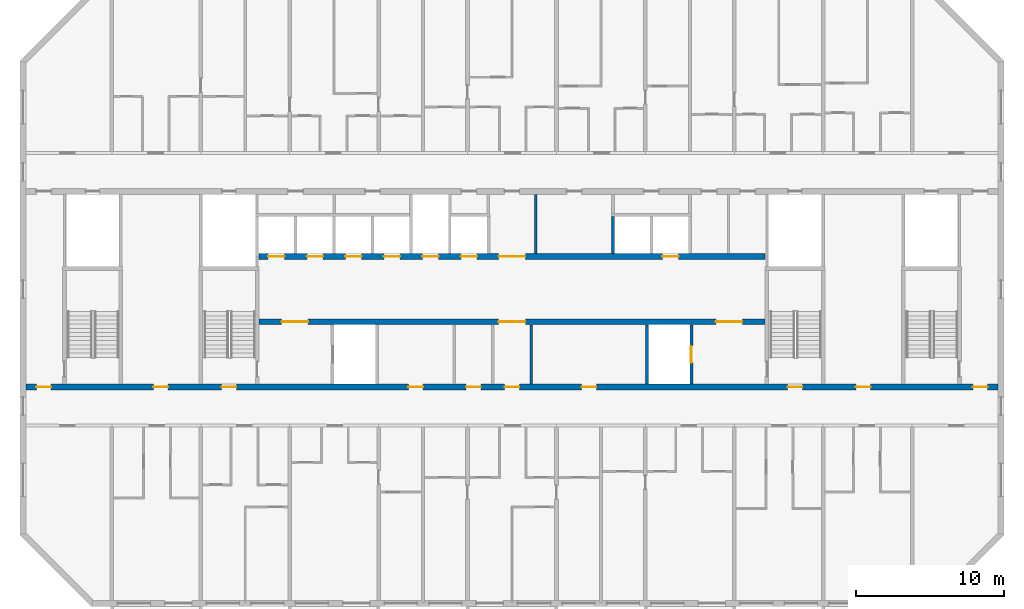
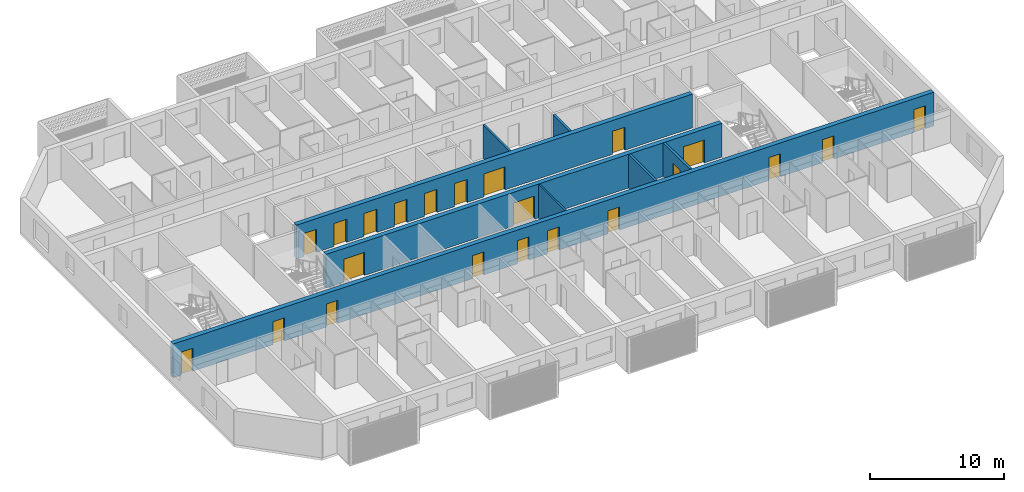
# One storey, part 6 of 26: 22 doors, 8 walls, 22 openings.
"""IFC4 building model written with IfcOpenShell, lengths in metres."""

from ifc_helpers import new_model, si_unit, direction, frame, frame_2d, origin, place, context, subcontext, project, spatial, rectangle, extrude, material, layer, layer_set, type_object, element, fill, save


model = new_model("IFC4")

# Units and contexts
model_context = context("Model", 3, precision=1e-05, world=origin(), true_north=direction((0.0, 1.0)))
body_context = subcontext(model_context, "Body", "Model", "MODEL_VIEW")
ifc_project = project(units=[si_unit("LENGTHUNIT", "METRE"), si_unit("AREAUNIT", "SQUARE_METRE"), si_unit("VOLUMEUNIT", "CUBIC_METRE"), si_unit("PLANEANGLEUNIT", "RADIAN"), si_unit("MASSUNIT", "GRAM", prefix="KILO")], contexts=[model_context])

# Site, building, storey
site_placement = place(None, origin())
site = spatial("IfcSite", under=ifc_project, at=site_placement, CompositionType="ELEMENT")
building_placement = place(site_placement, origin())
building = spatial("IfcBuilding", under=site, at=building_placement, Name="Poui Terraces", CompositionType="ELEMENT")
storey_placement = place(building_placement, frame((0.0, 0.0, 175.199951171875)))
storey = spatial("IfcBuildingStorey", under=building, at=storey_placement, Name="L48", CompositionType="ELEMENT", Elevation=175.199951171875)

# Wall, openings, doors
ifc_material_1 = material(Name="Concrete 50 MPa", Category="concrete")
ifc_layer_1 = layer(ifc_material_1, 0.39990234375)
ifc_layer_set_1 = layer_set([ifc_layer_1], Name="Concrete 50 MPa")
wall_type_1 = type_object("IfcWallType", Name="CORE WALL 400 50 MPA", PredefinedType="SOLIDWALL", material=ifc_layer_set_1)
wall_1_placement = place(storey_placement, frame((33.925048828125, 19.0, 0.0), z_axis=(0.0, 0.0, 1.0), x_axis=(1.0, 0.0, 0.0)))
wall_1 = element("IfcWall", 1, at=wall_1_placement, inside=storey, type_object=wall_type_1, Name="CORE WALL", PredefinedType="SOLIDWALL", context=body_context, shape_type="SweptSolid", body=[
    extrude(rectangle(XDim=34.14990234375, YDim=0.39990234375, at=frame_2d((17.074951171875, 0.0))), origin(), (0.0, 0.0, 1.0), 3.080078125),
])
opening_1_placement = place(wall_1_placement, frame((16.175048828125, 0.0, 0.0)))
opening_1 = element("IfcOpeningElement", 2, at=opening_1_placement, cuts=wall_1, Name="Opening FDD60", PredefinedType="OPENING", context=body_context, shape_type="SweptSolid", body=[
    extrude(rectangle(XDim=1.800048828125, YDim=2.10009765625, at=frame_2d((0.89990234375, 1.050048828125))), frame((0.0, 0.2099609375, 0.0), z_axis=(0.0, -1.0, 0.0), x_axis=(1.0, 0.0, 0.0)), (0.0, 0.0, 1.0), 0.419921875),
])
opening_2_placement = place(wall_1_placement, frame((1.52490234375, 0.0, 0.0)))
opening_2 = element("IfcOpeningElement", 3, at=opening_2_placement, cuts=wall_1, Name="Opening FDD60", PredefinedType="OPENING", context=body_context, shape_type="SweptSolid", body=[
    extrude(rectangle(XDim=1.800048828125, YDim=2.10009765625, at=frame_2d((0.89990234375, 1.050048828125))), frame((0.0, 0.2099609375, 0.0), z_axis=(0.0, -1.0, 0.0), x_axis=(1.0, 0.0, 0.0)), (0.0, 0.0, 1.0), 0.419921875),
])
opening_3_placement = place(wall_1_placement, frame((30.824951171875, 0.0, 0.0)))
opening_3 = element("IfcOpeningElement", 4, at=opening_3_placement, cuts=wall_1, Name="Opening FDD60", PredefinedType="OPENING", context=body_context, shape_type="SweptSolid", body=[
    extrude(rectangle(XDim=1.800048828125, YDim=2.10009765625, at=frame_2d((0.89990234375, 1.050048828125))), frame((0.0, 0.2099609375, 0.0), z_axis=(0.0, -1.0, 0.0), x_axis=(1.0, 0.0, 0.0)), (0.0, 0.0, 1.0), 0.419921875),
])
ifc_material_2 = material(Name="Steel fire door", Category="steel")
door_type_1 = type_object("IfcDoorType", Name="DOUBLE LOBBY FIRE DOOR 1800 X 2100", OperationType="DOUBLE_DOOR_SINGLE_SWING", PredefinedType="DOOR", material=ifc_material_2)
door_1_placement = place(opening_1_placement, frame((1.800048828125, 0.0, 0.0), z_axis=(0.0, 0.0, 1.0), x_axis=(-1.0, 0.0, 0.0)))
door_1 = element("IfcDoor", 5, at=door_1_placement, inside=storey, type_object=door_type_1, Name="DOUBLE LOBBY FIRE DOOR 100", OperationType="DOUBLE_DOOR_SINGLE_SWING", OverallHeight=2.10009765625, OverallWidth=1.800048828125, PredefinedType="DOOR", context=body_context, shape_type="SweptSolid", body=[
    extrude(rectangle(XDim=1.800048828125, YDim=2.10009765625, at=frame_2d((0.89990234375, 1.050048828125))), frame((0.0, 0.02490234375, 0.0), z_axis=(0.0, -1.0, 0.0), x_axis=(1.0, 0.0, 0.0)), (0.0, 0.0, 1.0), 0.050048828125),
])
fill(opening_1, door_1)
door_2_placement = place(opening_2_placement, origin())
door_2 = element("IfcDoor", 6, at=door_2_placement, inside=storey, type_object=door_type_1, Name="DOUBLE LOBBY FIRE DOOR 102", OperationType="DOUBLE_DOOR_SINGLE_SWING", OverallHeight=2.10009765625, OverallWidth=1.800048828125, PredefinedType="DOOR", context=body_context, shape_type="SweptSolid", body=[
    extrude(rectangle(XDim=1.800048828125, YDim=2.10009765625, at=frame_2d((0.89990234375, 1.050048828125))), frame((0.0, 0.02490234375, 0.0), z_axis=(0.0, -1.0, 0.0), x_axis=(1.0, 0.0, 0.0)), (0.0, 0.0, 1.0), 0.050048828125),
])
fill(opening_2, door_2)
door_3_placement = place(opening_3_placement, origin())
door_3 = element("IfcDoor", 7, at=door_3_placement, inside=storey, type_object=door_type_1, Name="DOUBLE LOBBY FIRE DOOR 109", OperationType="DOUBLE_DOOR_SINGLE_SWING", OverallHeight=2.10009765625, OverallWidth=1.800048828125, PredefinedType="DOOR", context=body_context, shape_type="SweptSolid", body=[
    extrude(rectangle(XDim=1.800048828125, YDim=2.10009765625, at=frame_2d((0.89990234375, 1.050048828125))), frame((0.0, 0.02490234375, 0.0), z_axis=(0.0, -1.0, 0.0), x_axis=(1.0, 0.0, 0.0)), (0.0, 0.0, 1.0), 0.050048828125),
])
fill(opening_3, door_3)

wall_2_placement = place(storey_placement, frame((33.925048828125, 23.39990234375, 0.0), z_axis=(0.0, 0.0, 1.0), x_axis=(1.0, 0.0, 0.0)))
wall_2 = element("IfcWall", 8, at=wall_2_placement, inside=storey, type_object=wall_type_1, Name="CORE WALL", PredefinedType="SOLIDWALL", context=body_context, shape_type="SweptSolid", body=[
    extrude(rectangle(XDim=34.14990234375, YDim=0.39990234375, at=frame_2d((17.074951171875, 0.0))), origin(), (0.0, 0.0, 1.0), 3.080078125),
])
opening_4_placement = place(wall_2_placement, frame((16.175048828125, 0.0, 0.0)))
opening_4 = element("IfcOpeningElement", 9, at=opening_4_placement, cuts=wall_2, Name="Opening FDD60", PredefinedType="OPENING", context=body_context, shape_type="SweptSolid", body=[
    extrude(rectangle(XDim=1.800048828125, YDim=2.10009765625, at=frame_2d((0.89990234375, 1.050048828125))), frame((0.0, 0.2099609375, 0.0), z_axis=(0.0, -1.0, 0.0), x_axis=(1.0, 0.0, 0.0)), (0.0, 0.0, 1.0), 0.419921875),
])
opening_5_placement = place(wall_2_placement, frame((0.625, 0.0, 0.0)))
opening_5 = element("IfcOpeningElement", 10, at=opening_5_placement, cuts=wall_2, Name="Opening LD", PredefinedType="OPENING", context=body_context, shape_type="SweptSolid", body=[
    extrude(rectangle(XDim=1.10009765625, YDim=2.10009765625, at=frame_2d((0.550048828125, 1.050048828125))), frame((0.0, 0.2099609375, 0.0), z_axis=(0.0, -1.0, 0.0), x_axis=(1.0, 0.0, 0.0)), (0.0, 0.0, 1.0), 0.419921875),
])
opening_6_placement = place(wall_2_placement, frame((3.22509765625, 0.0, 0.0)))
opening_6 = element("IfcOpeningElement", 11, at=opening_6_placement, cuts=wall_2, Name="Opening LD", PredefinedType="OPENING", context=body_context, shape_type="SweptSolid", body=[
    extrude(rectangle(XDim=1.10009765625, YDim=2.10009765625, at=frame_2d((0.550048828125, 1.050048828125))), frame((0.0, 0.2099609375, 0.0), z_axis=(0.0, -1.0, 0.0), x_axis=(1.0, 0.0, 0.0)), (0.0, 0.0, 1.0), 0.419921875),
])
opening_7_placement = place(wall_2_placement, frame((5.824951171875, 0.0, 0.0)))
opening_7 = element("IfcOpeningElement", 12, at=opening_7_placement, cuts=wall_2, Name="Opening LD", PredefinedType="OPENING", context=body_context, shape_type="SweptSolid", body=[
    extrude(rectangle(XDim=1.10009765625, YDim=2.10009765625, at=frame_2d((0.550048828125, 1.050048828125))), frame((0.0, 0.2099609375, 0.0), z_axis=(0.0, -1.0, 0.0), x_axis=(1.0, 0.0, 0.0)), (0.0, 0.0, 1.0), 0.419921875),
])
opening_8_placement = place(wall_2_placement, frame((8.425048828125, 0.0, 0.0)))
opening_8 = element("IfcOpeningElement", 13, at=opening_8_placement, cuts=wall_2, Name="Opening LD", PredefinedType="OPENING", context=body_context, shape_type="SweptSolid", body=[
    extrude(rectangle(XDim=1.10009765625, YDim=2.10009765625, at=frame_2d((0.550048828125, 1.050048828125))), frame((0.0, 0.2099609375, 0.0), z_axis=(0.0, -1.0, 0.0), x_axis=(1.0, 0.0, 0.0)), (0.0, 0.0, 1.0), 0.419921875),
])
opening_9_placement = place(wall_2_placement, frame((11.02490234375, 0.0, 0.0)))
opening_9 = element("IfcOpeningElement", 14, at=opening_9_placement, cuts=wall_2, Name="Opening LD", PredefinedType="OPENING", context=body_context, shape_type="SweptSolid", body=[
    extrude(rectangle(XDim=1.10009765625, YDim=2.10009765625, at=frame_2d((0.550048828125, 1.050048828125))), frame((0.0, 0.2099609375, 0.0), z_axis=(0.0, -1.0, 0.0), x_axis=(1.0, 0.0, 0.0)), (0.0, 0.0, 1.0), 0.419921875),
])
opening_10_placement = place(wall_2_placement, frame((13.625, 0.0, 0.0)))
opening_10 = element("IfcOpeningElement", 15, at=opening_10_placement, cuts=wall_2, Name="Opening LD", PredefinedType="OPENING", context=body_context, shape_type="SweptSolid", body=[
    extrude(rectangle(XDim=1.10009765625, YDim=2.10009765625, at=frame_2d((0.550048828125, 1.050048828125))), frame((0.0, 0.2099609375, 0.0), z_axis=(0.0, -1.0, 0.0), x_axis=(1.0, 0.0, 0.0)), (0.0, 0.0, 1.0), 0.419921875),
])
opening_11_placement = place(wall_2_placement, frame((27.22509765625, 0.0, 0.0)))
opening_11 = element("IfcOpeningElement", 16, at=opening_11_placement, cuts=wall_2, Name="Opening LD", PredefinedType="OPENING", context=body_context, shape_type="SweptSolid", body=[
    extrude(rectangle(XDim=1.10009765625, YDim=2.10009765625, at=frame_2d((0.550048828125, 1.050048828125))), frame((0.0, 0.2099609375, 0.0), z_axis=(0.0, -1.0, 0.0), x_axis=(1.0, 0.0, 0.0)), (0.0, 0.0, 1.0), 0.419921875),
])
door_4_placement = place(opening_4_placement, origin())
door_4 = element("IfcDoor", 17, at=door_4_placement, inside=storey, type_object=door_type_1, Name="DOUBLE LOBBY FIRE DOOR 099", OperationType="DOUBLE_DOOR_SINGLE_SWING", OverallHeight=2.10009765625, OverallWidth=1.800048828125, PredefinedType="DOOR", context=body_context, shape_type="SweptSolid", body=[
    extrude(rectangle(XDim=1.800048828125, YDim=2.10009765625, at=frame_2d((0.89990234375, 1.050048828125))), frame((0.0, 0.02490234375, 0.0), z_axis=(0.0, -1.0, 0.0), x_axis=(1.0, 0.0, 0.0)), (0.0, 0.0, 1.0), 0.050048828125),
])
fill(opening_4, door_4)
ifc_material_3 = material(Name="Stainless steel sliding door", Category="steel")
door_type_2 = type_object("IfcDoorType", Name="LIFT LANDING DOOR 1100 X 2100", OperationType="DOUBLE_DOOR_SLIDING", PredefinedType="DOOR", material=ifc_material_3)
door_5_placement = place(opening_5_placement, origin())
door_5 = element("IfcDoor", 18, at=door_5_placement, inside=storey, type_object=door_type_2, Name="LANDING DOOR", OperationType="DOUBLE_DOOR_SLIDING", OverallHeight=2.10009765625, OverallWidth=1.10009765625, PredefinedType="DOOR", context=body_context, shape_type="SweptSolid", body=[
    extrude(rectangle(XDim=1.10009765625, YDim=2.10009765625, at=frame_2d((0.550048828125, 1.050048828125))), frame((0.0, 0.02490234375, 0.0), z_axis=(0.0, -1.0, 0.0), x_axis=(1.0, 0.0, 0.0)), (0.0, 0.0, 1.0), 0.050048828125),
])
fill(opening_5, door_5)
door_6_placement = place(opening_6_placement, origin())
door_6 = element("IfcDoor", 19, at=door_6_placement, inside=storey, type_object=door_type_2, Name="LANDING DOOR", OperationType="DOUBLE_DOOR_SLIDING", OverallHeight=2.10009765625, OverallWidth=1.10009765625, PredefinedType="DOOR", context=body_context, shape_type="SweptSolid", body=[
    extrude(rectangle(XDim=1.10009765625, YDim=2.10009765625, at=frame_2d((0.550048828125, 1.050048828125))), frame((0.0, 0.02490234375, 0.0), z_axis=(0.0, -1.0, 0.0), x_axis=(1.0, 0.0, 0.0)), (0.0, 0.0, 1.0), 0.050048828125),
])
fill(opening_6, door_6)
door_7_placement = place(opening_7_placement, origin())
door_7 = element("IfcDoor", 20, at=door_7_placement, inside=storey, type_object=door_type_2, Name="LANDING DOOR", OperationType="DOUBLE_DOOR_SLIDING", OverallHeight=2.10009765625, OverallWidth=1.10009765625, PredefinedType="DOOR", context=body_context, shape_type="SweptSolid", body=[
    extrude(rectangle(XDim=1.10009765625, YDim=2.10009765625, at=frame_2d((0.550048828125, 1.050048828125))), frame((0.0, 0.02490234375, 0.0), z_axis=(0.0, -1.0, 0.0), x_axis=(1.0, 0.0, 0.0)), (0.0, 0.0, 1.0), 0.050048828125),
])
fill(opening_7, door_7)
door_8_placement = place(opening_8_placement, origin())
door_8 = element("IfcDoor", 21, at=door_8_placement, inside=storey, type_object=door_type_2, Name="LANDING DOOR", OperationType="DOUBLE_DOOR_SLIDING", OverallHeight=2.10009765625, OverallWidth=1.10009765625, PredefinedType="DOOR", context=body_context, shape_type="SweptSolid", body=[
    extrude(rectangle(XDim=1.10009765625, YDim=2.10009765625, at=frame_2d((0.550048828125, 1.050048828125))), frame((0.0, 0.02490234375, 0.0), z_axis=(0.0, -1.0, 0.0), x_axis=(1.0, 0.0, 0.0)), (0.0, 0.0, 1.0), 0.050048828125),
])
fill(opening_8, door_8)
door_9_placement = place(opening_9_placement, origin())
door_9 = element("IfcDoor", 22, at=door_9_placement, inside=storey, type_object=door_type_2, Name="LANDING DOOR", OperationType="DOUBLE_DOOR_SLIDING", OverallHeight=2.10009765625, OverallWidth=1.10009765625, PredefinedType="DOOR", context=body_context, shape_type="SweptSolid", body=[
    extrude(rectangle(XDim=1.10009765625, YDim=2.10009765625, at=frame_2d((0.550048828125, 1.050048828125))), frame((0.0, 0.02490234375, 0.0), z_axis=(0.0, -1.0, 0.0), x_axis=(1.0, 0.0, 0.0)), (0.0, 0.0, 1.0), 0.050048828125),
])
fill(opening_9, door_9)
door_10_placement = place(opening_10_placement, origin())
door_10 = element("IfcDoor", 23, at=door_10_placement, inside=storey, type_object=door_type_2, Name="LANDING DOOR", OperationType="DOUBLE_DOOR_SLIDING", OverallHeight=2.10009765625, OverallWidth=1.10009765625, PredefinedType="DOOR", context=body_context, shape_type="SweptSolid", body=[
    extrude(rectangle(XDim=1.10009765625, YDim=2.10009765625, at=frame_2d((0.550048828125, 1.050048828125))), frame((0.0, 0.02490234375, 0.0), z_axis=(0.0, -1.0, 0.0), x_axis=(1.0, 0.0, 0.0)), (0.0, 0.0, 1.0), 0.050048828125),
])
fill(opening_10, door_10)
door_11_placement = place(opening_11_placement, origin())
door_11 = element("IfcDoor", 24, at=door_11_placement, inside=storey, type_object=door_type_2, Name="LANDING DOOR", OperationType="DOUBLE_DOOR_SLIDING", OverallHeight=2.10009765625, OverallWidth=1.10009765625, PredefinedType="DOOR", context=body_context, shape_type="SweptSolid", body=[
    extrude(rectangle(XDim=1.10009765625, YDim=2.10009765625, at=frame_2d((0.550048828125, 1.050048828125))), frame((0.0, 0.02490234375, 0.0), z_axis=(0.0, -1.0, 0.0), x_axis=(1.0, 0.0, 0.0)), (0.0, 0.0, 1.0), 0.050048828125),
])
fill(opening_11, door_11)

# Walls
ifc_material_4 = material(Name="Fire-rated plasterboard wall")
ifc_layer_2 = layer(ifc_material_4, 0.14990234375)
ifc_layer_set_2 = layer_set([ifc_layer_2], Name="Fire-rated plasterboard wall")
wall_type_2 = type_object("IfcWallType", Name="CORRIDOR WALL 150", PredefinedType="PARTITIONING", material=ifc_layer_set_2)
for number, where, z_axis, x_axis, name in (
    (25, (52.300048828125, 14.81005859375, 0.0), (0.0, 0.0, 1.0), (0.0, 1.0, 0.0), "CORRIDOR WALL 150"),
    (26, (52.60009765625, 23.610107421875, 0.0), (0.0, 0.0, 1.0), (0.0, 1.0, 0.0), "CORRIDOR WALL 150"),
):
    element("IfcWall", number, at=place(storey_placement, frame(where, z_axis=z_axis, x_axis=x_axis)), inside=storey, type_object=wall_type_2, Name=name, PredefinedType="PARTITIONING", context=body_context, shape_type="SweptSolid", body=[
        extrude(rectangle(XDim=3.97998046875, YDim=0.14990234375, at=frame_2d((1.989990234375, 0.0))), origin(), (0.0, 0.0, 1.0), 3.080078125),
    ])
ifc_material_5 = material(Name="Fire-rated masonry shaft wall", Category="masonry")
ifc_layer_3 = layer(ifc_material_5, 0.199951171875)
ifc_layer_set_3 = layer_set([ifc_layer_3], Name="Fire-rated masonry shaft wall")
wall_type_3 = type_object("IfcWallType", Name="SHAFT WALL 200", PredefinedType="PARTITIONING", material=ifc_layer_set_3)
wall_3_placement = place(storey_placement, frame((57.800048828125, 23.610107421875, 0.0), z_axis=(0.0, 0.0, 1.0), x_axis=(0.0, 1.0, 0.0)))
element("IfcWall", 27, at=wall_3_placement, inside=storey, type_object=wall_type_3, Name="SHAFT WALL 200", PredefinedType="PARTITIONING", context=body_context, shape_type="SweptSolid", body=[
    extrude(rectangle(XDim=2.489990234375, YDim=0.199951171875, at=frame_2d((1.2451171875, 0.0))), origin(), (0.0, 0.0, 1.0), 3.080078125),
])
wall_4_placement = place(storey_placement, frame((60.10009765625, 14.81005859375, 0.0), z_axis=(0.0, 0.0, 1.0), x_axis=(0.0, 1.0, 0.0)))
element("IfcWall", 28, at=wall_4_placement, inside=storey, type_object=wall_type_3, Name="SHAFT WALL 200", PredefinedType="PARTITIONING", context=body_context, shape_type="SweptSolid", body=[
    extrude(rectangle(XDim=3.97998046875, YDim=0.199951171875, at=frame_2d((1.989990234375, 0.0))), origin(), (0.0, 0.0, 1.0), 3.080078125),
])

# Wall, opening, door
wall_5_placement = place(storey_placement, frame((63.10009765625, 14.81005859375, 0.0), z_axis=(0.0, 0.0, 1.0), x_axis=(0.0, 1.0, 0.0)))
wall_5 = element("IfcWall", 29, at=wall_5_placement, inside=storey, type_object=wall_type_3, Name="SHAFT WALL 200", PredefinedType="PARTITIONING", context=body_context, shape_type="SweptSolid", body=[
    extrude(rectangle(XDim=3.97998046875, YDim=0.199951171875, at=frame_2d((1.989990234375, 0.0))), origin(), (0.0, 0.0, 1.0), 3.080078125),
])
opening_12_placement = place(wall_5_placement, frame((1.43994140625, 0.0, 0.0)))
opening_12 = element("IfcOpeningElement", 30, at=opening_12_placement, cuts=wall_5, Name="Opening LD", PredefinedType="OPENING", context=body_context, shape_type="SweptSolid", body=[
    extrude(rectangle(XDim=1.10009765625, YDim=2.10009765625, at=frame_2d((0.550048828125, 1.050048828125))), frame((0.0, 0.10986328125, 0.0), z_axis=(0.0, -1.0, 0.0), x_axis=(1.0, 0.0, 0.0)), (0.0, 0.0, 1.0), 0.219970703125),
])
door_12_placement = place(opening_12_placement, origin())
door_12 = element("IfcDoor", 31, at=door_12_placement, inside=storey, type_object=door_type_2, Name="LANDING DOOR", OperationType="DOUBLE_DOOR_SLIDING", OverallHeight=2.10009765625, OverallWidth=1.10009765625, PredefinedType="DOOR", context=body_context, shape_type="SweptSolid", body=[
    extrude(rectangle(XDim=1.10009765625, YDim=2.10009765625, at=frame_2d((0.550048828125, 1.050048828125))), frame((0.0, 0.02490234375, 0.0), z_axis=(0.0, -1.0, 0.0), x_axis=(1.0, 0.0, 0.0)), (0.0, 0.0, 1.0), 0.050048828125),
])
fill(opening_12, door_12)

# Wall, openings, doors
ifc_layer_4 = layer(ifc_material_1, 0.39990234375)
ifc_layer_set_4 = layer_set([ifc_layer_4], Name="Concrete 50 MPa")
wall_type_4 = type_object("IfcWallType", Name="SPINE WALL 400 50 MPA", PredefinedType="SOLIDWALL", material=ifc_layer_set_4)
wall_6_placement = place(storey_placement, frame((18.199951171875, 14.60009765625, 0.0), z_axis=(0.0, 0.0, 1.0), x_axis=(1.0, 0.0, 0.0)))
wall_6 = element("IfcWall", 32, at=wall_6_placement, inside=storey, type_object=wall_type_4, Name="SPINE WALL", PredefinedType="SOLIDWALL", context=body_context, shape_type="SweptSolid", body=[
    extrude(rectangle(XDim=65.60009765625, YDim=0.39990234375, at=frame_2d((32.800048828125, 0.0))), origin(), (0.0, 0.0, 1.0), 3.080078125),
])
opening_13_placement = place(wall_6_placement, frame((0.699951171875, 0.0, 0.0)))
opening_13 = element("IfcOpeningElement", 33, at=opening_13_placement, cuts=wall_6, Name="Opening FDL", PredefinedType="OPENING", context=body_context, shape_type="SweptSolid", body=[
    extrude(rectangle(XDim=1.0, YDim=2.10009765625, at=frame_2d((0.5, 1.050048828125))), frame((0.0, 0.2099609375, 0.0), z_axis=(0.0, -1.0, 0.0), x_axis=(1.0, 0.0, 0.0)), (0.0, 0.0, 1.0), 0.419921875),
])
opening_14_placement = place(wall_6_placement, frame((8.60009765625, 0.0, 0.0)))
opening_14 = element("IfcOpeningElement", 34, at=opening_14_placement, cuts=wall_6, Name="Opening D100", PredefinedType="OPENING", context=body_context, shape_type="SweptSolid", body=[
    extrude(rectangle(XDim=1.0, YDim=2.10009765625, at=frame_2d((0.5, 1.050048828125))), frame((0.0, 0.2099609375, 0.0), z_axis=(0.0, -1.0, 0.0), x_axis=(1.0, 0.0, 0.0)), (0.0, 0.0, 1.0), 0.419921875),
])
opening_15_placement = place(wall_6_placement, frame((13.199951171875, 0.0, 0.0)))
opening_15 = element("IfcOpeningElement", 35, at=opening_15_placement, cuts=wall_6, Name="Opening FD60S", PredefinedType="OPENING", context=body_context, shape_type="SweptSolid", body=[
    extrude(rectangle(XDim=1.0, YDim=2.10009765625, at=frame_2d((0.5, 1.050048828125))), frame((0.0, 0.2099609375, 0.0), z_axis=(0.0, -1.0, 0.0), x_axis=(1.0, 0.0, 0.0)), (0.0, 0.0, 1.0), 0.419921875),
])
opening_16_placement = place(wall_6_placement, frame((25.800048828125, 0.0, 0.0)))
opening_16 = element("IfcOpeningElement", 36, at=opening_16_placement, cuts=wall_6, Name="Opening FD60", PredefinedType="OPENING", context=body_context, shape_type="SweptSolid", body=[
    extrude(rectangle(XDim=1.0, YDim=2.10009765625, at=frame_2d((0.5, 1.050048828125))), frame((0.0, 0.2099609375, 0.0), z_axis=(0.0, -1.0, 0.0), x_axis=(1.0, 0.0, 0.0)), (0.0, 0.0, 1.0), 0.419921875),
])
opening_17_placement = place(wall_6_placement, frame((29.699951171875, 0.0, 0.0)))
opening_17 = element("IfcOpeningElement", 37, at=opening_17_placement, cuts=wall_6, Name="Opening FD60", PredefinedType="OPENING", context=body_context, shape_type="SweptSolid", body=[
    extrude(rectangle(XDim=1.0, YDim=2.10009765625, at=frame_2d((0.5, 1.050048828125))), frame((0.0, 0.2099609375, 0.0), z_axis=(0.0, -1.0, 0.0), x_axis=(1.0, 0.0, 0.0)), (0.0, 0.0, 1.0), 0.419921875),
])
opening_18_placement = place(wall_6_placement, frame((32.300048828125, 0.0, 0.0)))
opening_18 = element("IfcOpeningElement", 38, at=opening_18_placement, cuts=wall_6, Name="Opening FDL", PredefinedType="OPENING", context=body_context, shape_type="SweptSolid", body=[
    extrude(rectangle(XDim=1.0, YDim=2.10009765625, at=frame_2d((0.5, 1.050048828125))), frame((0.0, 0.2099609375, 0.0), z_axis=(0.0, -1.0, 0.0), x_axis=(1.0, 0.0, 0.0)), (0.0, 0.0, 1.0), 0.419921875),
])
opening_19_placement = place(wall_6_placement, frame((37.5, 0.0, 0.0)))
opening_19 = element("IfcOpeningElement", 39, at=opening_19_placement, cuts=wall_6, Name="Opening FD60", PredefinedType="OPENING", context=body_context, shape_type="SweptSolid", body=[
    extrude(rectangle(XDim=1.0, YDim=2.10009765625, at=frame_2d((0.5, 1.050048828125))), frame((0.0, 0.2099609375, 0.0), z_axis=(0.0, -1.0, 0.0), x_axis=(1.0, 0.0, 0.0)), (0.0, 0.0, 1.0), 0.419921875),
])
opening_20_placement = place(wall_6_placement, frame((51.39990234375, 0.0, 0.0)))
opening_20 = element("IfcOpeningElement", 40, at=opening_20_placement, cuts=wall_6, Name="Opening FD60S", PredefinedType="OPENING", context=body_context, shape_type="SweptSolid", body=[
    extrude(rectangle(XDim=1.0, YDim=2.10009765625, at=frame_2d((0.5, 1.050048828125))), frame((0.0, 0.2099609375, 0.0), z_axis=(0.0, -1.0, 0.0), x_axis=(1.0, 0.0, 0.0)), (0.0, 0.0, 1.0), 0.419921875),
])
opening_21_placement = place(wall_6_placement, frame((56.0, 0.0, 0.0)))
opening_21 = element("IfcOpeningElement", 41, at=opening_21_placement, cuts=wall_6, Name="Opening D100", PredefinedType="OPENING", context=body_context, shape_type="SweptSolid", body=[
    extrude(rectangle(XDim=1.0, YDim=2.10009765625, at=frame_2d((0.5, 1.050048828125))), frame((0.0, 0.2099609375, 0.0), z_axis=(0.0, -1.0, 0.0), x_axis=(1.0, 0.0, 0.0)), (0.0, 0.0, 1.0), 0.419921875),
])
opening_22_placement = place(wall_6_placement, frame((63.89990234375, 0.0, 0.0)))
opening_22 = element("IfcOpeningElement", 42, at=opening_22_placement, cuts=wall_6, Name="Opening FDL", PredefinedType="OPENING", context=body_context, shape_type="SweptSolid", body=[
    extrude(rectangle(XDim=1.0, YDim=2.10009765625, at=frame_2d((0.5, 1.050048828125))), frame((0.0, 0.2099609375, 0.0), z_axis=(0.0, -1.0, 0.0), x_axis=(1.0, 0.0, 0.0)), (0.0, 0.0, 1.0), 0.419921875),
])
ifc_material_6 = material(Name="Solid core timber door", Category="wood")
door_type_3 = type_object("IfcDoorType", Name="ACCESSIBLE INTERNAL DOOR 1000 X 2100", OperationType="NOTDEFINED", PredefinedType="DOOR", material=ifc_material_6)
door_13_placement = place(opening_14_placement, frame((1.0, 0.0, 0.0), z_axis=(0.0, 0.0, 1.0), x_axis=(-1.0, 0.0, 0.0)))
door_13 = element("IfcDoor", 43, at=door_13_placement, inside=storey, type_object=door_type_3, Name="ACCESSIBLE INTERNAL DOOR 016", OperationType="SINGLE_SWING_LEFT", OverallHeight=2.10009765625, OverallWidth=1.0, PredefinedType="DOOR", context=body_context, shape_type="SweptSolid", body=[
    extrude(rectangle(XDim=1.0, YDim=2.10009765625, at=frame_2d((0.5, 1.050048828125))), frame((0.0, 0.02490234375, 0.0), z_axis=(0.0, -1.0, 0.0), x_axis=(1.0, 0.0, 0.0)), (0.0, 0.0, 1.0), 0.050048828125),
])
fill(opening_14, door_13)
door_14_placement = place(opening_21_placement, frame((1.0, 0.0, 0.0), z_axis=(0.0, 0.0, 1.0), x_axis=(-1.0, 0.0, 0.0)))
door_14 = element("IfcDoor", 44, at=door_14_placement, inside=storey, type_object=door_type_3, Name="ACCESSIBLE INTERNAL DOOR 023", OperationType="SINGLE_SWING_RIGHT", OverallHeight=2.10009765625, OverallWidth=1.0, PredefinedType="DOOR", context=body_context, shape_type="SweptSolid", body=[
    extrude(rectangle(XDim=1.0, YDim=2.10009765625, at=frame_2d((0.5, 1.050048828125))), frame((0.0, 0.02490234375, 0.0), z_axis=(0.0, -1.0, 0.0), x_axis=(1.0, 0.0, 0.0)), (0.0, 0.0, 1.0), 0.050048828125),
])
fill(opening_21, door_14)
door_type_4 = type_object("IfcDoorType", Name="LOBBY FIRE DOOR 1000 X 2100", OperationType="NOTDEFINED", PredefinedType="DOOR", material=ifc_material_2)
door_15_placement = place(opening_13_placement, frame((1.0, 0.0, 0.0), z_axis=(0.0, 0.0, 1.0), x_axis=(-1.0, 0.0, 0.0)))
door_15 = element("IfcDoor", 45, at=door_15_placement, inside=storey, type_object=door_type_4, Name="LOBBY FIRE DOOR 015", OperationType="SINGLE_SWING_RIGHT", OverallHeight=2.10009765625, OverallWidth=1.0, PredefinedType="DOOR", context=body_context, shape_type="SweptSolid", body=[
    extrude(rectangle(XDim=1.0, YDim=2.10009765625, at=frame_2d((0.5, 1.050048828125))), frame((0.0, 0.02490234375, 0.0), z_axis=(0.0, -1.0, 0.0), x_axis=(1.0, 0.0, 0.0)), (0.0, 0.0, 1.0), 0.050048828125),
])
fill(opening_13, door_15)
door_16_placement = place(opening_18_placement, frame((1.0, 0.0, 0.0), z_axis=(0.0, 0.0, 1.0), x_axis=(-1.0, 0.0, 0.0)))
door_16 = element("IfcDoor", 46, at=door_16_placement, inside=storey, type_object=door_type_4, Name="LOBBY FIRE DOOR 020", OperationType="SINGLE_SWING_LEFT", OverallHeight=2.10009765625, OverallWidth=1.0, PredefinedType="DOOR", context=body_context, shape_type="SweptSolid", body=[
    extrude(rectangle(XDim=1.0, YDim=2.10009765625, at=frame_2d((0.5, 1.050048828125))), frame((0.0, 0.02490234375, 0.0), z_axis=(0.0, -1.0, 0.0), x_axis=(1.0, 0.0, 0.0)), (0.0, 0.0, 1.0), 0.050048828125),
])
fill(opening_18, door_16)
door_17_placement = place(opening_22_placement, frame((1.0, 0.0, 0.0), z_axis=(0.0, 0.0, 1.0), x_axis=(-1.0, 0.0, 0.0)))
door_17 = element("IfcDoor", 47, at=door_17_placement, inside=storey, type_object=door_type_4, Name="LOBBY FIRE DOOR 024", OperationType="SINGLE_SWING_LEFT", OverallHeight=2.10009765625, OverallWidth=1.0, PredefinedType="DOOR", context=body_context, shape_type="SweptSolid", body=[
    extrude(rectangle(XDim=1.0, YDim=2.10009765625, at=frame_2d((0.5, 1.050048828125))), frame((0.0, 0.02490234375, 0.0), z_axis=(0.0, -1.0, 0.0), x_axis=(1.0, 0.0, 0.0)), (0.0, 0.0, 1.0), 0.050048828125),
])
fill(opening_22, door_17)
door_type_5 = type_object("IfcDoorType", Name="SERVICE ROOM FIRE DOOR 1000 X 2100", OperationType="NOTDEFINED", PredefinedType="DOOR", material=ifc_material_2)
door_18_placement = place(opening_16_placement, frame((1.0, 0.0, 0.0), z_axis=(0.0, 0.0, 1.0), x_axis=(-1.0, 0.0, 0.0)))
door_18 = element("IfcDoor", 48, at=door_18_placement, inside=storey, type_object=door_type_5, Name="SERVICE ROOM FIRE DOOR 018", OperationType="SINGLE_SWING_LEFT", OverallHeight=2.10009765625, OverallWidth=1.0, PredefinedType="DOOR", context=body_context, shape_type="SweptSolid", body=[
    extrude(rectangle(XDim=1.0, YDim=2.10009765625, at=frame_2d((0.5, 1.050048828125))), frame((0.0, 0.02490234375, 0.0), z_axis=(0.0, -1.0, 0.0), x_axis=(1.0, 0.0, 0.0)), (0.0, 0.0, 1.0), 0.050048828125),
])
fill(opening_16, door_18)
door_19_placement = place(opening_17_placement, frame((1.0, 0.0, 0.0), z_axis=(0.0, 0.0, 1.0), x_axis=(-1.0, 0.0, 0.0)))
door_19 = element("IfcDoor", 49, at=door_19_placement, inside=storey, type_object=door_type_5, Name="SERVICE ROOM FIRE DOOR 019", OperationType="SINGLE_SWING_RIGHT", OverallHeight=2.10009765625, OverallWidth=1.0, PredefinedType="DOOR", context=body_context, shape_type="SweptSolid", body=[
    extrude(rectangle(XDim=1.0, YDim=2.10009765625, at=frame_2d((0.5, 1.050048828125))), frame((0.0, 0.02490234375, 0.0), z_axis=(0.0, -1.0, 0.0), x_axis=(1.0, 0.0, 0.0)), (0.0, 0.0, 1.0), 0.050048828125),
])
fill(opening_17, door_19)
door_20_placement = place(opening_19_placement, frame((1.0, 0.0, 0.0), z_axis=(0.0, 0.0, 1.0), x_axis=(-1.0, 0.0, 0.0)))
door_20 = element("IfcDoor", 50, at=door_20_placement, inside=storey, type_object=door_type_5, Name="SERVICE ROOM FIRE DOOR 021", OperationType="SINGLE_SWING_LEFT", OverallHeight=2.10009765625, OverallWidth=1.0, PredefinedType="DOOR", context=body_context, shape_type="SweptSolid", body=[
    extrude(rectangle(XDim=1.0, YDim=2.10009765625, at=frame_2d((0.5, 1.050048828125))), frame((0.0, 0.02490234375, 0.0), z_axis=(0.0, -1.0, 0.0), x_axis=(1.0, 0.0, 0.0)), (0.0, 0.0, 1.0), 0.050048828125),
])
fill(opening_19, door_20)
door_type_6 = type_object("IfcDoorType", Name="STAIR DOOR 1000 X 2100", OperationType="NOTDEFINED", PredefinedType="DOOR", material=ifc_material_2)
door_21_placement = place(opening_15_placement, origin())
door_21 = element("IfcDoor", 51, at=door_21_placement, inside=storey, type_object=door_type_6, Name="STAIR DOOR 017", OperationType="SINGLE_SWING_RIGHT", OverallHeight=2.10009765625, OverallWidth=1.0, PredefinedType="DOOR", context=body_context, shape_type="SweptSolid", body=[
    extrude(rectangle(XDim=1.0, YDim=2.10009765625, at=frame_2d((0.5, 1.050048828125))), frame((0.0, 0.02490234375, 0.0), z_axis=(0.0, -1.0, 0.0), x_axis=(1.0, 0.0, 0.0)), (0.0, 0.0, 1.0), 0.050048828125),
])
fill(opening_15, door_21)
door_22_placement = place(opening_20_placement, origin())
door_22 = element("IfcDoor", 52, at=door_22_placement, inside=storey, type_object=door_type_6, Name="STAIR DOOR 022", OperationType="SINGLE_SWING_RIGHT", OverallHeight=2.10009765625, OverallWidth=1.0, PredefinedType="DOOR", context=body_context, shape_type="SweptSolid", body=[
    extrude(rectangle(XDim=1.0, YDim=2.10009765625, at=frame_2d((0.5, 1.050048828125))), frame((0.0, 0.02490234375, 0.0), z_axis=(0.0, -1.0, 0.0), x_axis=(1.0, 0.0, 0.0)), (0.0, 0.0, 1.0), 0.050048828125),
])
fill(opening_20, door_22)

save(model, "model.ifc")
